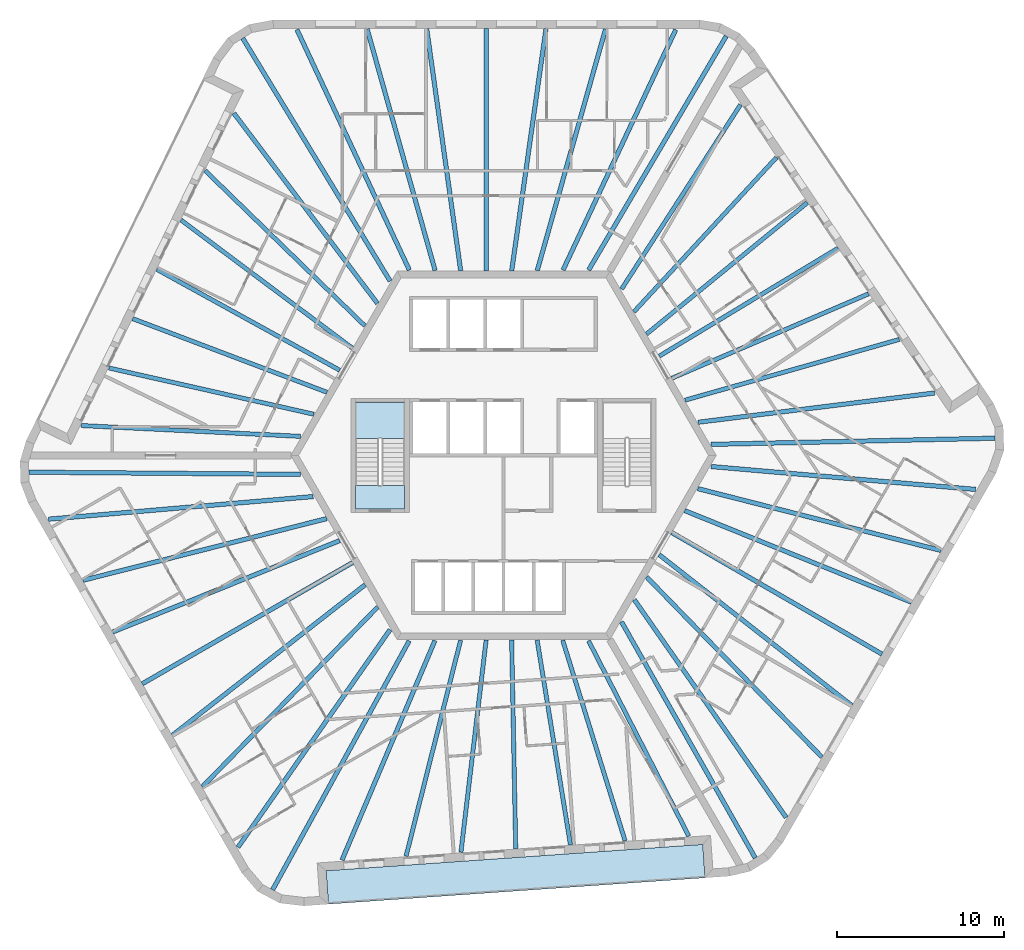
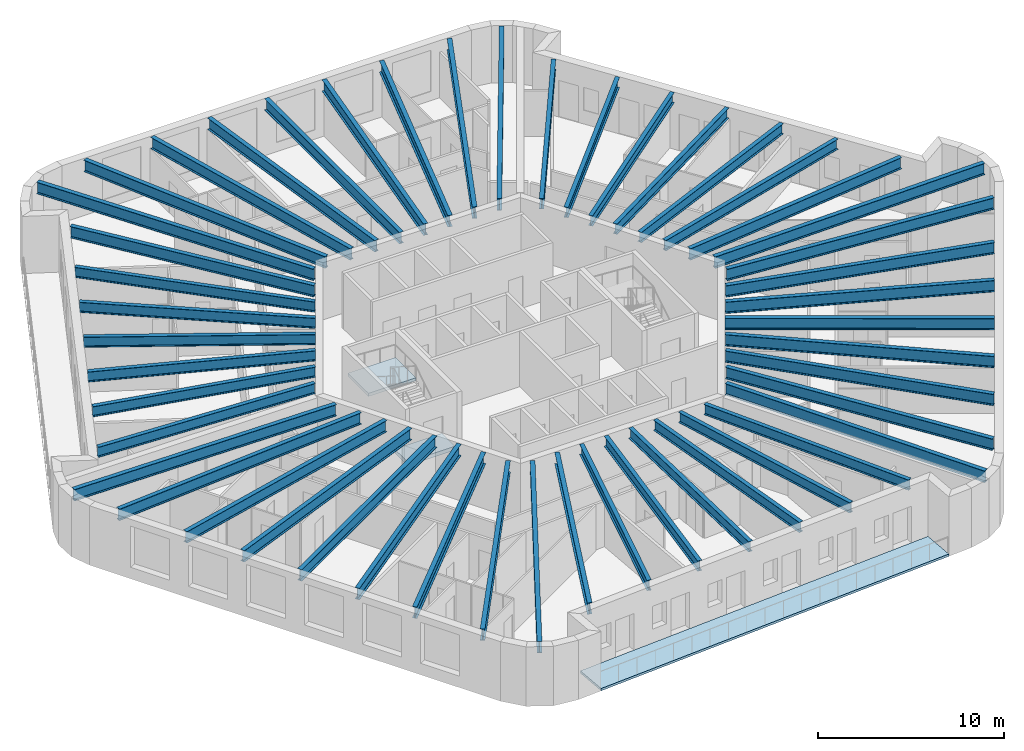
# One storey, part 1 of 12: 48 beams, 3 slabs, 1 element without a shape of its own.
"""IFC4 building model written with IfcOpenShell, lengths in metres."""

from ifc_helpers import new_model, si_unit, direction, frame, origin, origin_2d, place, context, subcontext, project, spatial, polyline, i_section, outline, extrude, material, layer, layer_set, material_profile, profile_set, type_object, element, aggregate, save


model = new_model("IFC4")

# Units and contexts
model_context = context("Model", 3, precision=1e-05, world=origin(), true_north=direction((0.0, 1.0)))
body_context = subcontext(model_context, "Body", "Model", "MODEL_VIEW")
ifc_project = project(units=[si_unit("LENGTHUNIT", "METRE"), si_unit("AREAUNIT", "SQUARE_METRE"), si_unit("VOLUMEUNIT", "CUBIC_METRE"), si_unit("PLANEANGLEUNIT", "RADIAN"), si_unit("MASSUNIT", "GRAM", prefix="KILO")], contexts=[model_context])

# Site, building, storey
site_placement = place(None, origin())
site = spatial("IfcSite", under=ifc_project, at=site_placement, CompositionType="ELEMENT")
building_placement = place(site_placement, origin())
building = spatial("IfcBuilding", under=site, at=building_placement, Name="Tarnside Tower", CompositionType="ELEMENT")
storey_placement = place(building_placement, frame((0.0, 0.0, 271.800048828125)))
storey = spatial("IfcBuildingStorey", under=building, at=storey_placement, Name="L65", CompositionType="ELEMENT", Elevation=271.800048828125)

# Beams
ifc_material_1 = material(Name="Steel S355", Category="steel")
ifc_material_profile_1 = material_profile(ifc_material_1, i_section(OverallWidth=0.2529296875, OverallDepth=0.677978515625, WebThickness=0.01171875, FlangeThickness=0.01611328125, FilletRadius=0.01513671875, at=origin_2d()), Name="UB 686x254x125")
ifc_profile_set_1 = profile_set([ifc_material_profile_1], Name="Steel S355")
beam_type_1 = type_object("IfcBeamType", Name="Floor beam UB 686x254x125", PredefinedType="BEAM", material=ifc_profile_set_1)
beam_1_placement = place(storey_placement, frame((-17.811279296875, 17.002197265625, 3.410888671875), z_axis=(0.717190986424, -0.696876666988, 0.0), x_axis=(0.696876666988, 0.717190986424, 0.0)))
element("IfcBeam", 1, at=beam_1_placement, inside=storey, type_object=beam_type_1, Name="Floor beam F2.02", PredefinedType="BEAM", context=body_context, shape_type="SweptSolid", body=[
    extrude(i_section(OverallWidth=0.2529296875, OverallDepth=0.677978515625, WebThickness=0.01171875, FlangeThickness=0.01611328125, FilletRadius=0.01513671875, at=origin_2d()), origin(), (0.0, 0.0, 1.0), 13.2919921875),
])
beam_2_placement = place(storey_placement, frame((-19.25, 14.0498046875, 3.410888671875), z_axis=(0.801006417676, -0.598655759883, 0.0), x_axis=(0.598655759883, 0.801006417676, 0.0)))
element("IfcBeam", 2, at=beam_2_placement, inside=storey, type_object=beam_type_1, Name="Floor beam F2.03", PredefinedType="BEAM", context=body_context, shape_type="SweptSolid", body=[
    extrude(i_section(OverallWidth=0.2529296875, OverallDepth=0.677978515625, WebThickness=0.01171875, FlangeThickness=0.01611328125, FilletRadius=0.01513671875, at=origin_2d()), origin(), (0.0, 0.0, 1.0), 12.764892578125),
])
beam_3_placement = place(storey_placement, frame((-20.70458984375, 11.111572265625, 3.410888671875), z_axis=(0.875666768762, -0.482915841619, 0.0), x_axis=(0.482915841619, 0.875666768762, 0.0)))
element("IfcBeam", 3, at=beam_3_placement, inside=storey, type_object=beam_type_1, Name="Floor beam F2.04", PredefinedType="BEAM", context=body_context, shape_type="SweptSolid", body=[
    extrude(i_section(OverallWidth=0.2529296875, OverallDepth=0.677978515625, WebThickness=0.01171875, FlangeThickness=0.01611328125, FilletRadius=0.01513671875, at=origin_2d()), origin(), (0.0, 0.0, 1.0), 12.468994140625),
])
beam_4_placement = place(storey_placement, frame((-22.141357421875, 8.165771484375, 3.410888671875), z_axis=(0.935116350489, -0.354340811998, 0.0), x_axis=(0.354340811998, 0.935116350489, 0.0)))
element("IfcBeam", 4, at=beam_4_placement, inside=storey, type_object=beam_type_1, Name="Floor beam F2.05", PredefinedType="BEAM", context=body_context, shape_type="SweptSolid", body=[
    extrude(i_section(OverallWidth=0.2529296875, OverallDepth=0.677978515625, WebThickness=0.01171875, FlangeThickness=0.01611328125, FilletRadius=0.01513671875, at=origin_2d()), origin(), (0.0, 0.0, 1.0), 12.399169921875),
])
beam_5_placement = place(storey_placement, frame((-23.556884765625, 5.2197265625, 3.410888671875), z_axis=(0.975445185376, -0.220242344534, 0.0), x_axis=(0.220242344534, 0.975445185376, 0.0)))
element("IfcBeam", 5, at=beam_5_placement, inside=storey, type_object=beam_type_1, Name="Floor beam F2.06", PredefinedType="BEAM", context=body_context, shape_type="SweptSolid", body=[
    extrude(i_section(OverallWidth=0.2529296875, OverallDepth=0.677978515625, WebThickness=0.01171875, FlangeThickness=0.01611328125, FilletRadius=0.01513671875, at=origin_2d()), origin(), (0.0, 0.0, 1.0), 12.538330078125),
])
beam_6_placement = place(storey_placement, frame((-25.214599609375, 1.7841796875, 3.410888671875), z_axis=(0.998783137237, -0.049317793651, 0.0), x_axis=(0.049317793651, 0.998783137237, 0.0)))
element("IfcBeam", 6, at=beam_6_placement, inside=storey, type_object=beam_type_1, Name="Floor beam F2.07", PredefinedType="BEAM", context=body_context, shape_type="SweptSolid", body=[
    extrude(i_section(OverallWidth=0.2529296875, OverallDepth=0.677978515625, WebThickness=0.01171875, FlangeThickness=0.01611328125, FilletRadius=0.01513671875, at=origin_2d()), origin(), (0.0, 0.0, 1.0), 13.103515625),
])
beam_7_placement = place(storey_placement, frame((-5.818603515625, -23.92626953125, 3.410888671875), z_axis=(0.244907502604, 0.969546448175, 0.0), x_axis=(-0.969546448175, 0.244907502604, 0.0)))
element("IfcBeam", 7, at=beam_7_placement, inside=storey, type_object=beam_type_1, Name="Floor beam F4.02", PredefinedType="BEAM", context=body_context, shape_type="SweptSolid", body=[
    extrude(i_section(OverallWidth=0.2529296875, OverallDepth=0.677978515625, WebThickness=0.01171875, FlangeThickness=0.01611328125, FilletRadius=0.01513671875, at=origin_2d()), origin(), (0.0, 0.0, 1.0), 13.292236328125),
])
beam_8_placement = place(storey_placement, frame((-2.54248046875, -23.69580078125, 3.410888671875), z_axis=(0.117949762105, 0.993019563563, 0.0), x_axis=(-0.993019563563, 0.117949762105, 0.0)))
element("IfcBeam", 8, at=beam_8_placement, inside=storey, type_object=beam_type_1, Name="Floor beam F4.03", PredefinedType="BEAM", context=body_context, shape_type="SweptSolid", body=[
    extrude(i_section(OverallWidth=0.2529296875, OverallDepth=0.677978515625, WebThickness=0.01171875, FlangeThickness=0.01611328125, FilletRadius=0.01513671875, at=origin_2d()), origin(), (0.0, 0.0, 1.0), 12.764892578125),
])
beam_9_placement = place(storey_placement, frame((0.7294921875, -23.486328125, 3.410888671875), z_axis=(-0.019619426101, 0.999807520536, 0.0), x_axis=(-0.999807520536, -0.019619426101, 0.0)))
element("IfcBeam", 9, at=beam_9_placement, inside=storey, type_object=beam_type_1, Name="Floor beam F4.04", PredefinedType="BEAM", context=body_context, shape_type="SweptSolid", body=[
    extrude(i_section(OverallWidth=0.2529296875, OverallDepth=0.677978515625, WebThickness=0.01171875, FlangeThickness=0.01611328125, FilletRadius=0.01513671875, at=origin_2d()), origin(), (0.0, 0.0, 1.0), 12.46875),
])
beam_10_placement = place(storey_placement, frame((3.9990234375, -23.2578125, 3.410888671875), z_axis=(-0.160690769029, 0.987004800773, 0.0), x_axis=(-0.987004800773, -0.160690769029, 0.0)))
element("IfcBeam", 10, at=beam_10_placement, inside=storey, type_object=beam_type_1, Name="Floor beam F4.05", PredefinedType="BEAM", context=body_context, shape_type="SweptSolid", body=[
    extrude(i_section(OverallWidth=0.2529296875, OverallDepth=0.677978515625, WebThickness=0.01171875, FlangeThickness=0.01611328125, FilletRadius=0.01513671875, at=origin_2d()), origin(), (0.0, 0.0, 1.0), 12.399169921875),
])
beam_11_placement = place(storey_placement, frame((7.258056640625, -23.0107421875, 3.410888671875), z_axis=(-0.296997512057, 0.954878252885, 0.0), x_axis=(-0.954878252885, -0.296997512057, 0.0)))
element("IfcBeam", 11, at=beam_11_placement, inside=storey, type_object=beam_type_1, Name="Floor beam F4.06", PredefinedType="BEAM", context=body_context, shape_type="SweptSolid", body=[
    extrude(i_section(OverallWidth=0.2529296875, OverallDepth=0.677978515625, WebThickness=0.01171875, FlangeThickness=0.01611328125, FilletRadius=0.01513671875, at=origin_2d()), origin(), (0.0, 0.0, 1.0), 12.538330078125),
])
beam_12_placement = place(storey_placement, frame((11.06201171875, -22.728515625, 3.410888671875), z_axis=(-0.456683143477, 0.889629420862, 0.0), x_axis=(-0.889629420862, -0.456683143477, 0.0)))
element("IfcBeam", 12, at=beam_12_placement, inside=storey, type_object=beam_type_1, Name="Floor beam F4.07", PredefinedType="BEAM", context=body_context, shape_type="SweptSolid", body=[
    extrude(i_section(OverallWidth=0.2529296875, OverallDepth=0.677978515625, WebThickness=0.01171875, FlangeThickness=0.01611328125, FilletRadius=0.01513671875, at=origin_2d()), origin(), (0.0, 0.0, 1.0), 13.103515625),
])
beam_13_placement = place(storey_placement, frame((23.6298828125, 6.924072265625, 3.410888671875), z_axis=(-0.962104001021, -0.272682766636, 0.0), x_axis=(0.272682766636, -0.962104001021, 0.0)))
element("IfcBeam", 13, at=beam_13_placement, inside=storey, type_object=beam_type_1, Name="Floor beam F6.02", PredefinedType="BEAM", context=body_context, shape_type="SweptSolid", body=[
    extrude(i_section(OverallWidth=0.2529296875, OverallDepth=0.677978515625, WebThickness=0.01171875, FlangeThickness=0.01611328125, FilletRadius=0.01513671875, at=origin_2d()), origin(), (0.0, 0.0, 1.0), 13.2919921875),
])
beam_14_placement = place(storey_placement, frame((21.792236328125, 9.64599609375, 3.410888671875), z_axis=(-0.918954980534, -0.394362452258, 0.0), x_axis=(0.394362452258, -0.918954980534, 0.0)))
element("IfcBeam", 14, at=beam_14_placement, inside=storey, type_object=beam_type_1, Name="Floor beam F6.03", PredefinedType="BEAM", context=body_context, shape_type="SweptSolid", body=[
    extrude(i_section(OverallWidth=0.2529296875, OverallDepth=0.677978515625, WebThickness=0.01171875, FlangeThickness=0.01611328125, FilletRadius=0.01513671875, at=origin_2d()), origin(), (0.0, 0.0, 1.0), 12.7646484375),
])
beam_15_placement = place(storey_placement, frame((19.97509765625, 12.375, 3.410888671875), z_axis=(-0.856046953876, -0.516898068055, 0.0), x_axis=(0.516898068055, -0.856046953876, 0.0)))
element("IfcBeam", 15, at=beam_15_placement, inside=storey, type_object=beam_type_1, Name="Floor beam F6.04", PredefinedType="BEAM", context=body_context, shape_type="SweptSolid", body=[
    extrude(i_section(OverallWidth=0.2529296875, OverallDepth=0.677978515625, WebThickness=0.01171875, FlangeThickness=0.01611328125, FilletRadius=0.01513671875, at=origin_2d()), origin(), (0.0, 0.0, 1.0), 12.46875),
])
beam_16_placement = place(storey_placement, frame((18.142333984375, 15.092041015625, 3.410888671875), z_axis=(-0.774438707576, -0.632648945473, 0.0), x_axis=(0.632648945473, -0.774438707576, 0.0)))
element("IfcBeam", 16, at=beam_16_placement, inside=storey, type_object=beam_type_1, Name="Floor beam F6.05", PredefinedType="BEAM", context=body_context, shape_type="SweptSolid", body=[
    extrude(i_section(OverallWidth=0.2529296875, OverallDepth=0.677978515625, WebThickness=0.01171875, FlangeThickness=0.01611328125, FilletRadius=0.01513671875, at=origin_2d()), origin(), (0.0, 0.0, 1.0), 12.39892578125),
])
beam_17_placement = place(storey_placement, frame((16.299072265625, 17.791015625, 3.410888671875), z_axis=(-0.67846123451, -0.734636204708, 0.0), x_axis=(0.734636204708, -0.67846123451, 0.0)))
element("IfcBeam", 17, at=beam_17_placement, inside=storey, type_object=beam_type_1, Name="Floor beam F6.06", PredefinedType="BEAM", context=body_context, shape_type="SweptSolid", body=[
    extrude(i_section(OverallWidth=0.2529296875, OverallDepth=0.677978515625, WebThickness=0.01171875, FlangeThickness=0.01611328125, FilletRadius=0.01513671875, at=origin_2d()), origin(), (0.0, 0.0, 1.0), 12.538330078125),
])
beam_18_placement = place(storey_placement, frame((14.152587890625, 20.9443359375, 3.410888671875), z_axis=(-0.54209970956, -0.840314170352, 0.0), x_axis=(0.840314170352, -0.54209970956, 0.0)))
element("IfcBeam", 18, at=beam_18_placement, inside=storey, type_object=beam_type_1, Name="Floor beam F6.07", PredefinedType="BEAM", context=body_context, shape_type="SweptSolid", body=[
    extrude(i_section(OverallWidth=0.2529296875, OverallDepth=0.677978515625, WebThickness=0.01171875, FlangeThickness=0.01611328125, FilletRadius=0.01513671875, at=origin_2d()), origin(), (0.0, 0.0, 1.0), 13.103759765625),
])
ifc_material_profile_2 = material_profile(ifc_material_1, i_section(OverallWidth=0.26513671875, OverallDepth=0.75390625, WebThickness=0.0126953125, FlangeThickness=0.017578125, FilletRadius=0.0166015625, at=origin_2d()), Name="UB 762x267x147")
ifc_profile_set_2 = profile_set([ifc_material_profile_2], Name="Steel S355")
beam_type_2 = type_object("IfcBeamType", Name="Floor beam UB 762x267x147", PredefinedType="BEAM", material=ifc_profile_set_2)
beam_19_placement = place(storey_placement, frame((6.093505859375, 25.46142578125, 3.373046875), z_axis=(-0.272147186115, -0.962255636039, 0.0), x_axis=(0.962255636039, -0.272147186115, 0.0)))
element("IfcBeam", 19, at=beam_19_placement, inside=storey, type_object=beam_type_2, Name="Floor beam F1.02", PredefinedType="BEAM", context=body_context, shape_type="SweptSolid", body=[
    extrude(i_section(OverallWidth=0.26513671875, OverallDepth=0.75390625, WebThickness=0.0126953125, FlangeThickness=0.017578125, FilletRadius=0.0166015625, at=origin_2d()), origin(), (0.0, 0.0, 1.0), 14.988525390625),
])
beam_20_placement = place(storey_placement, frame((2.537109375, 25.480224609375, 3.373046875), z_axis=(-0.140349428967, -0.990102034029, 0.0), x_axis=(0.990102034029, -0.140349428967, 0.0)))
element("IfcBeam", 20, at=beam_20_placement, inside=storey, type_object=beam_type_2, Name="Floor beam F1.03", PredefinedType="BEAM", context=body_context, shape_type="SweptSolid", body=[
    extrude(i_section(OverallWidth=0.26513671875, OverallDepth=0.75390625, WebThickness=0.0126953125, FlangeThickness=0.017578125, FilletRadius=0.0166015625, at=origin_2d()), origin(), (0.0, 0.0, 1.0), 14.60498046875),
])
beam_21_placement = place(storey_placement, frame((-1.02490234375, 25.5, 3.373046875), z_axis=(-0.000656653953, -0.999999784403, 0.0), x_axis=(0.999999784403, -0.000656653953, 0.0)))
element("IfcBeam", 21, at=beam_21_placement, inside=storey, type_object=beam_type_2, Name="Floor beam F1.04", PredefinedType="BEAM", context=body_context, shape_type="SweptSolid", body=[
    extrude(i_section(OverallWidth=0.26513671875, OverallDepth=0.75390625, WebThickness=0.0126953125, FlangeThickness=0.017578125, FilletRadius=0.0166015625, at=origin_2d()), origin(), (0.0, 0.0, 1.0), 14.5),
])
beam_22_placement = place(storey_placement, frame((-4.5869140625, 25.480224609375, 3.373046875), z_axis=(0.139070897001, -0.990282427193, 0.0), x_axis=(0.990282427193, 0.139070897001, 0.0)))
element("IfcBeam", 22, at=beam_22_placement, inside=storey, type_object=beam_type_2, Name="Floor beam F1.05", PredefinedType="BEAM", context=body_context, shape_type="SweptSolid", body=[
    extrude(i_section(OverallWidth=0.26513671875, OverallDepth=0.75390625, WebThickness=0.0126953125, FlangeThickness=0.017578125, FilletRadius=0.0166015625, at=origin_2d()), origin(), (0.0, 0.0, 1.0), 14.602294921875),
])
beam_23_placement = place(storey_placement, frame((-8.1435546875, 25.46142578125, 3.373046875), z_axis=(0.270985274434, -0.962583493023, 0.0), x_axis=(0.962583493023, 0.270985274434, 0.0)))
element("IfcBeam", 23, at=beam_23_placement, inside=storey, type_object=beam_type_2, Name="Floor beam F1.06", PredefinedType="BEAM", context=body_context, shape_type="SweptSolid", body=[
    extrude(i_section(OverallWidth=0.26513671875, OverallDepth=0.75390625, WebThickness=0.0126953125, FlangeThickness=0.017578125, FilletRadius=0.0166015625, at=origin_2d()), origin(), (0.0, 0.0, 1.0), 14.9833984375),
])
beam_24_placement = place(storey_placement, frame((-16.101318359375, 20.43212890625, 3.373046875), z_axis=(0.602566097863, -0.798068980543, 0.0), x_axis=(0.798068980543, 0.602566097863, 0.0)))
element("IfcBeam", 24, at=beam_24_placement, inside=storey, type_object=beam_type_2, Name="Floor beam F2.01", PredefinedType="BEAM", context=body_context, shape_type="SweptSolid", body=[
    extrude(i_section(OverallWidth=0.26513671875, OverallDepth=0.75390625, WebThickness=0.0126953125, FlangeThickness=0.017578125, FilletRadius=0.0166015625, at=origin_2d()), origin(), (0.0, 0.0, 1.0), 14.231201171875),
])
beam_25_placement = place(storey_placement, frame((-25.09716796875, -7.45361328125, 3.373046875), z_axis=(0.969413823687, 0.245431942592, 0.0), x_axis=(-0.245431942592, 0.969413823687, 0.0)))
element("IfcBeam", 25, at=beam_25_placement, inside=storey, type_object=beam_type_2, Name="Floor beam F3.02", PredefinedType="BEAM", context=body_context, shape_type="SweptSolid", body=[
    extrude(i_section(OverallWidth=0.26513671875, OverallDepth=0.75390625, WebThickness=0.0126953125, FlangeThickness=0.017578125, FilletRadius=0.0166015625, at=origin_2d()), origin(), (0.0, 0.0, 1.0), 14.98876953125),
])
beam_26_placement = place(storey_placement, frame((-23.3349609375, -10.54296875, 3.373046875), z_axis=(0.927625766949, 0.373510958998, 0.0), x_axis=(-0.373510958998, 0.927625766949, 0.0)))
element("IfcBeam", 26, at=beam_26_placement, inside=storey, type_object=beam_type_2, Name="Floor beam F3.03", PredefinedType="BEAM", context=body_context, shape_type="SweptSolid", body=[
    extrude(i_section(OverallWidth=0.26513671875, OverallDepth=0.75390625, WebThickness=0.0126953125, FlangeThickness=0.017578125, FilletRadius=0.0166015625, at=origin_2d()), origin(), (0.0, 0.0, 1.0), 14.60498046875),
])
beam_27_placement = place(storey_placement, frame((-21.5712890625, -13.6376953125, 3.373046875), z_axis=(0.866357363831, 0.499424587036, 0.0), x_axis=(-0.499424587036, 0.866357363831, 0.0)))
element("IfcBeam", 27, at=beam_27_placement, inside=storey, type_object=beam_type_2, Name="Floor beam F3.04", PredefinedType="BEAM", context=body_context, shape_type="SweptSolid", body=[
    extrude(i_section(OverallWidth=0.26513671875, OverallDepth=0.75390625, WebThickness=0.0126953125, FlangeThickness=0.017578125, FilletRadius=0.0166015625, at=origin_2d()), origin(), (0.0, 0.0, 1.0), 14.5),
])
beam_28_placement = place(storey_placement, frame((-19.77294921875, -16.71240234375, 3.373046875), z_axis=(0.788074813552, 0.615579473541, 0.0), x_axis=(-0.615579473541, 0.788074813552, 0.0)))
element("IfcBeam", 28, at=beam_28_placement, inside=storey, type_object=beam_type_2, Name="Floor beam F3.05", PredefinedType="BEAM", context=body_context, shape_type="SweptSolid", body=[
    extrude(i_section(OverallWidth=0.26513671875, OverallDepth=0.75390625, WebThickness=0.0126953125, FlangeThickness=0.017578125, FilletRadius=0.0166015625, at=origin_2d()), origin(), (0.0, 0.0, 1.0), 14.60205078125),
])
beam_29_placement = place(storey_placement, frame((-17.978515625, -19.783203125, 3.373046875), z_axis=(0.698129580508, 0.71597143017, 0.0), x_axis=(-0.71597143017, 0.698129580508, 0.0)))
element("IfcBeam", 29, at=beam_29_placement, inside=storey, type_object=beam_type_2, Name="Floor beam F3.06", PredefinedType="BEAM", context=body_context, shape_type="SweptSolid", body=[
    extrude(i_section(OverallWidth=0.26513671875, OverallDepth=0.75390625, WebThickness=0.0126953125, FlangeThickness=0.017578125, FilletRadius=0.0166015625, at=origin_2d()), origin(), (0.0, 0.0, 1.0), 14.983642578125),
])
beam_30_placement = place(storey_placement, frame((-9.64404296875, -24.160400390625, 3.373046875), z_axis=(0.389873911801, 0.920868249478, 0.0), x_axis=(-0.920868249478, 0.389873911801, 0.0)))
element("IfcBeam", 30, at=beam_30_placement, inside=storey, type_object=beam_type_2, Name="Floor beam F4.01", PredefinedType="BEAM", context=body_context, shape_type="SweptSolid", body=[
    extrude(i_section(OverallWidth=0.26513671875, OverallDepth=0.75390625, WebThickness=0.0126953125, FlangeThickness=0.017578125, FilletRadius=0.0166015625, at=origin_2d()), origin(), (0.0, 0.0, 1.0), 14.231201171875),
])
beam_31_placement = place(storey_placement, frame((19.00341796875, -18.008056640625, 3.373046875), z_axis=(-0.697249797022, 0.716828236437, 0.0), x_axis=(-0.716828236437, -0.697249797022, 0.0)))
element("IfcBeam", 31, at=beam_31_placement, inside=storey, type_object=beam_type_2, Name="Floor beam F5.02", PredefinedType="BEAM", context=body_context, shape_type="SweptSolid", body=[
    extrude(i_section(OverallWidth=0.26513671875, OverallDepth=0.75390625, WebThickness=0.0126953125, FlangeThickness=0.017578125, FilletRadius=0.0166015625, at=origin_2d()), origin(), (0.0, 0.0, 1.0), 14.98876953125),
])
beam_32_placement = place(storey_placement, frame((20.798095703125, -14.937255859375, 3.373046875), z_axis=(-0.787282014804, 0.616593082321, 0.0), x_axis=(-0.616593082321, -0.787282014804, 0.0)))
element("IfcBeam", 32, at=beam_32_placement, inside=storey, type_object=beam_type_2, Name="Floor beam F5.03", PredefinedType="BEAM", context=body_context, shape_type="SweptSolid", body=[
    extrude(i_section(OverallWidth=0.26513671875, OverallDepth=0.75390625, WebThickness=0.0126953125, FlangeThickness=0.017578125, FilletRadius=0.0166015625, at=origin_2d()), origin(), (0.0, 0.0, 1.0), 14.60498046875),
])
beam_33_placement = place(storey_placement, frame((22.59619140625, -11.8623046875, 3.373046875), z_axis=(-0.865697438889, 0.500567622106, 0.0), x_axis=(-0.500567622106, -0.865697438889, 0.0)))
element("IfcBeam", 33, at=beam_33_placement, inside=storey, type_object=beam_type_2, Name="Floor beam F5.04", PredefinedType="BEAM", context=body_context, shape_type="SweptSolid", body=[
    extrude(i_section(OverallWidth=0.26513671875, OverallDepth=0.75390625, WebThickness=0.0126953125, FlangeThickness=0.017578125, FilletRadius=0.0166015625, at=origin_2d()), origin(), (0.0, 0.0, 1.0), 14.500244140625),
])
beam_34_placement = place(storey_placement, frame((24.35986328125, -8.767578125, 3.373046875), z_axis=(-0.927145907531, 0.374700501933, 0.0), x_axis=(-0.374700501933, -0.927145907531, 0.0)))
element("IfcBeam", 34, at=beam_34_placement, inside=storey, type_object=beam_type_2, Name="Floor beam F5.05", PredefinedType="BEAM", context=body_context, shape_type="SweptSolid", body=[
    extrude(i_section(OverallWidth=0.26513671875, OverallDepth=0.75390625, WebThickness=0.0126953125, FlangeThickness=0.017578125, FilletRadius=0.0166015625, at=origin_2d()), origin(), (0.0, 0.0, 1.0), 14.60205078125),
])
beam_35_placement = place(storey_placement, frame((26.1220703125, -5.67822265625, 3.373046875), z_axis=(-0.969115089144, 0.246608888716, 0.0), x_axis=(-0.246608888716, -0.969115089144, 0.0)))
element("IfcBeam", 35, at=beam_35_placement, inside=storey, type_object=beam_type_2, Name="Floor beam F5.06", PredefinedType="BEAM", context=body_context, shape_type="SweptSolid", body=[
    extrude(i_section(OverallWidth=0.26513671875, OverallDepth=0.75390625, WebThickness=0.0126953125, FlangeThickness=0.017578125, FilletRadius=0.0166015625, at=origin_2d()), origin(), (0.0, 0.0, 1.0), 14.9833984375),
])
beam_36_placement = place(storey_placement, frame((25.745361328125, 3.72802734375, 3.373046875), z_axis=(-0.992433598491, -0.122782541866, 0.0), x_axis=(0.122782541866, -0.992433598491, 0.0)))
element("IfcBeam", 36, at=beam_36_placement, inside=storey, type_object=beam_type_2, Name="Floor beam F6.01", PredefinedType="BEAM", context=body_context, shape_type="SweptSolid", body=[
    extrude(i_section(OverallWidth=0.26513671875, OverallDepth=0.75390625, WebThickness=0.0126953125, FlangeThickness=0.017578125, FilletRadius=0.0166015625, at=origin_2d()), origin(), (0.0, 0.0, 1.0), 14.23095703125),
])
ifc_material_profile_3 = material_profile(ifc_material_1, i_section(OverallWidth=0.2666015625, OverallDepth=0.76220703125, WebThickness=0.014404296875, FlangeThickness=0.021484375, FilletRadius=0.0166015625, at=origin_2d()), Name="UB 762x267x173")
ifc_profile_set_3 = profile_set([ifc_material_profile_3], Name="Steel S355")
beam_type_3 = type_object("IfcBeamType", Name="Floor beam UB 762x267x173", PredefinedType="BEAM", material=ifc_profile_set_3)
beam_37_placement = place(storey_placement, frame((10.285400390625, 25.427490234375, 3.368896484375), z_axis=(-0.424439399801, -0.905456346765, 0.0), x_axis=(0.905456346765, -0.424439399801, 0.0)))
element("IfcBeam", 37, at=beam_37_placement, inside=storey, type_object=beam_type_3, Name="Floor beam F1.01", PredefinedType="BEAM", context=body_context, shape_type="SweptSolid", body=[
    extrude(i_section(OverallWidth=0.2666015625, OverallDepth=0.76220703125, WebThickness=0.014404296875, FlangeThickness=0.021484375, FilletRadius=0.0166015625, at=origin_2d()), origin(), (0.0, 0.0, 1.0), 15.853759765625),
])
beam_38_placement = place(storey_placement, frame((-12.335205078125, 25.427490234375, 3.368896484375), z_axis=(0.423453877267, -0.905917663934, 0.0), x_axis=(0.905917663934, 0.423453877267, 0.0)))
element("IfcBeam", 38, at=beam_38_placement, inside=storey, type_object=beam_type_3, Name="Floor beam F1.07", PredefinedType="BEAM", context=body_context, shape_type="SweptSolid", body=[
    extrude(i_section(OverallWidth=0.2666015625, OverallDepth=0.76220703125, WebThickness=0.014404296875, FlangeThickness=0.021484375, FilletRadius=0.0166015625, at=origin_2d()), origin(), (0.0, 0.0, 1.0), 15.845703125),
])
beam_39_placement = place(storey_placement, frame((-15.5703125, 24.91162109375, 3.368896484375), z_axis=(0.518716683755, -0.854946198304, 0.0), x_axis=(0.854946198304, 0.518716683755, 0.0)))
element("IfcBeam", 39, at=beam_39_placement, inside=storey, type_object=beam_type_3, Name="Floor beam C1", PredefinedType="BEAM", context=body_context, shape_type="SweptSolid", body=[
    extrude(i_section(OverallWidth=0.2666015625, OverallDepth=0.76220703125, WebThickness=0.014404296875, FlangeThickness=0.021484375, FilletRadius=0.0166015625, at=origin_2d()), origin(), (0.0, 0.0, 1.0), 16.961181640625),
])
beam_40_placement = place(storey_placement, frame((-28.3291015625, -1.0009765625, 3.368896484375), z_axis=(0.999966651082, -0.008166806173, 0.0), x_axis=(0.008166806173, 0.999966651082, 0.0)))
element("IfcBeam", 40, at=beam_40_placement, inside=storey, type_object=beam_type_3, Name="Floor beam C2", PredefinedType="BEAM", context=body_context, shape_type="SweptSolid", body=[
    extrude(i_section(OverallWidth=0.2666015625, OverallDepth=0.76220703125, WebThickness=0.014404296875, FlangeThickness=0.021484375, FilletRadius=0.0166015625, at=origin_2d()), origin(), (0.0, 0.0, 1.0), 16.20263671875),
])
beam_41_placement = place(storey_placement, frame((-27.16357421875, -3.806396484375, 3.368896484375), z_axis=(0.996367434748, 0.085158293626, 0.0), x_axis=(-0.085158293626, 0.996367434748, 0.0)))
element("IfcBeam", 41, at=beam_41_placement, inside=storey, type_object=beam_type_3, Name="Floor beam F3.01", PredefinedType="BEAM", context=body_context, shape_type="SweptSolid", body=[
    extrude(i_section(OverallWidth=0.2666015625, OverallDepth=0.76220703125, WebThickness=0.014404296875, FlangeThickness=0.021484375, FilletRadius=0.0166015625, at=origin_2d()), origin(), (0.0, 0.0, 1.0), 15.85400390625),
])
beam_42_placement = place(storey_placement, frame((-15.853271484375, -23.396484375, 3.368896484375), z_axis=(0.572816933654, 0.819683329414, 0.0), x_axis=(-0.819683329414, 0.572816933654, 0.0)))
element("IfcBeam", 42, at=beam_42_placement, inside=storey, type_object=beam_type_3, Name="Floor beam F3.07", PredefinedType="BEAM", context=body_context, shape_type="SweptSolid", body=[
    extrude(i_section(OverallWidth=0.2666015625, OverallDepth=0.76220703125, WebThickness=0.014404296875, FlangeThickness=0.021484375, FilletRadius=0.0166015625, at=origin_2d()), origin(), (0.0, 0.0, 1.0), 15.84619140625),
])
beam_43_placement = place(storey_placement, frame((-13.788818359375, -25.93994140625, 3.368896484375), z_axis=(0.481036073107, 0.876700802081, 0.0), x_axis=(-0.876700802081, 0.481036073107, 0.0)))
element("IfcBeam", 43, at=beam_43_placement, inside=storey, type_object=beam_type_3, Name="Floor beam C3", PredefinedType="BEAM", context=body_context, shape_type="SweptSolid", body=[
    extrude(i_section(OverallWidth=0.2666015625, OverallDepth=0.76220703125, WebThickness=0.014404296875, FlangeThickness=0.021484375, FilletRadius=0.0166015625, at=origin_2d()), origin(), (0.0, 0.0, 1.0), 16.961181640625),
])
beam_44_placement = place(storey_placement, frame((15.031494140625, -24.033447265625, 3.368896484375), z_axis=(-0.49290801997, 0.870081423689, 0.0), x_axis=(-0.870081423689, -0.49290801997, 0.0)))
element("IfcBeam", 44, at=beam_44_placement, inside=storey, type_object=beam_type_3, Name="Floor beam C4", PredefinedType="BEAM", context=body_context, shape_type="SweptSolid", body=[
    extrude(i_section(OverallWidth=0.2666015625, OverallDepth=0.76220703125, WebThickness=0.014404296875, FlangeThickness=0.021484375, FilletRadius=0.0166015625, at=origin_2d()), origin(), (0.0, 0.0, 1.0), 16.202880859375),
])
beam_45_placement = place(storey_placement, frame((16.87841796875, -21.62109375, 3.368896484375), z_axis=(-0.571946235641, 0.82029110902, 0.0), x_axis=(-0.82029110902, -0.571946235641, 0.0)))
element("IfcBeam", 45, at=beam_45_placement, inside=storey, type_object=beam_type_3, Name="Floor beam F5.01", PredefinedType="BEAM", context=body_context, shape_type="SweptSolid", body=[
    extrude(i_section(OverallWidth=0.2666015625, OverallDepth=0.76220703125, WebThickness=0.014404296875, FlangeThickness=0.021484375, FilletRadius=0.0166015625, at=origin_2d()), origin(), (0.0, 0.0, 1.0), 15.85400390625),
])
beam_46_placement = place(storey_placement, frame((28.1884765625, -2.03125, 3.368896484375), z_axis=(-0.996273584651, 0.086249316098, 0.0), x_axis=(-0.086249316098, -0.996273584651, 0.0)))
element("IfcBeam", 46, at=beam_46_placement, inside=storey, type_object=beam_type_3, Name="Floor beam F5.07", PredefinedType="BEAM", context=body_context, shape_type="SweptSolid", body=[
    extrude(i_section(OverallWidth=0.2666015625, OverallDepth=0.76220703125, WebThickness=0.014404296875, FlangeThickness=0.021484375, FilletRadius=0.0166015625, at=origin_2d()), origin(), (0.0, 0.0, 1.0), 15.845947265625),
])
beam_47_placement = place(storey_placement, frame((29.359130859375, 1.028564453125, 3.368896484375), z_axis=(-0.999763142455, -0.02176370807, 0.0), x_axis=(0.02176370807, -0.999763142455, 0.0)))
element("IfcBeam", 47, at=beam_47_placement, inside=storey, type_object=beam_type_3, Name="Floor beam C5", PredefinedType="BEAM", context=body_context, shape_type="SweptSolid", body=[
    extrude(i_section(OverallWidth=0.2666015625, OverallDepth=0.76220703125, WebThickness=0.014404296875, FlangeThickness=0.021484375, FilletRadius=0.0166015625, at=origin_2d()), origin(), (0.0, 0.0, 1.0), 16.961181640625),
])
beam_48_placement = place(storey_placement, frame((13.2978515625, 25.0341796875, 3.368896484375), z_axis=(-0.507080048325, -0.861898964259, 0.0), x_axis=(0.861898964259, -0.507080048325, 0.0)))
element("IfcBeam", 48, at=beam_48_placement, inside=storey, type_object=beam_type_3, Name="Floor beam C6", PredefinedType="BEAM", context=body_context, shape_type="SweptSolid", body=[
    extrude(i_section(OverallWidth=0.2666015625, OverallDepth=0.76220703125, WebThickness=0.014404296875, FlangeThickness=0.021484375, FilletRadius=0.0166015625, at=origin_2d()), origin(), (0.0, 0.0, 1.0), 16.20263671875),
])

# Slabs
ifc_material_2 = material(Name="Concrete C40/50", Category="concrete")
ifc_layer_1 = layer(ifc_material_2, 0.25)
ifc_layer_set_1 = layer_set([ifc_layer_1], Name="Core slab C40/50")
slab_type_1 = type_object("IfcSlabType", Name="Core slab C40/50", PredefinedType="FLOOR", material=ifc_layer_set_1)
slab_1_placement = place(storey_placement, frame((0.0, 0.0, -0.25)))
element("IfcSlab", 49, at=slab_1_placement, inside=storey, type_object=slab_type_1, Name="L65 core floor slab 2", PredefinedType="FLOOR", context=body_context, shape_type="SweptSolid", body=[
    extrude(outline(polyline([(-8.85009765625, -3.199951171875), (-8.85009765625, -1.800048828125), (-5.89990234375, -1.800048828125), (-5.89990234375, -3.199951171875), (-8.85009765625, -3.199951171875)])), origin(), (0.0, 0.0, 1.0), 0.25),
])
ifc_material_3 = material(Name="Timber decking", Category="wood")
ifc_layer_2 = layer(ifc_material_3, 0.0400390625)
ifc_material_4 = material(Name="Concrete C60/75 precast", Category="concrete")
ifc_layer_3 = layer(ifc_material_4, 0.110107421875)
ifc_layer_set_2 = layer_set([ifc_layer_2, ifc_layer_3], Name="Loggia deck 150")
slab_type_2 = type_object("IfcSlabType", Name="Loggia deck 150", PredefinedType="FLOOR", material=ifc_layer_set_2)
slab_2_placement = place(storey_placement, frame((0.0, 0.0, -0.150146484375)))
element("IfcSlab", 50, at=slab_2_placement, inside=storey, type_object=slab_type_2, Name="Loggia deck L65 F4", PredefinedType="FLOOR", context=body_context, shape_type="SweptSolid", body=[
    extrude(outline(polyline([(-10.593017578125, -24.79931640625), (11.896728515625, -23.226806640625), (12.036376953125, -25.221923828125), (-10.45361328125, -26.79443359375), (-10.593017578125, -24.79931640625)])), origin(), (0.0, 0.0, 1.0), 0.150146484375),
])

# Stair, slab
stair_type = type_object("IfcStairType", Name="Exit stair 1400 clear", PredefinedType="HALF_TURN_STAIR", material=ifc_material_2)
stair_placement = place(storey_placement, origin())
stair = element("IfcStair", 51, at=stair_placement, inside=storey, type_object=stair_type, Name="L65 Exit stair 2", PredefinedType="HALF_TURN_STAIR")
ifc_layer_4 = layer(ifc_material_2, 0.199951171875)
ifc_layer_set_3 = layer_set([ifc_layer_4], Name="Stair landing 200 C40/50")
slab_type_3 = type_object("IfcSlabType", Name="Stair landing 200 C40/50", PredefinedType="LANDING", material=ifc_layer_set_3)
slab_3_placement = place(storey_placement, frame((0.0, 0.0, 1.75)))
slab_3 = element("IfcSlab", 52, at=slab_3_placement, type_object=slab_type_3, Name="ST2 landing 1", PredefinedType="LANDING", context=body_context, shape_type="SweptSolid", body=[
    extrude(outline(polyline([(-5.89990234375, 1.0), (-5.89990234375, 3.199951171875), (-8.85009765625, 3.199951171875), (-8.85009765625, 1.0), (-5.89990234375, 1.0)])), origin(), (0.0, 0.0, 1.0), 0.199951171875),
])
aggregate(stair, [slab_3])

save(model, "model.ifc")
